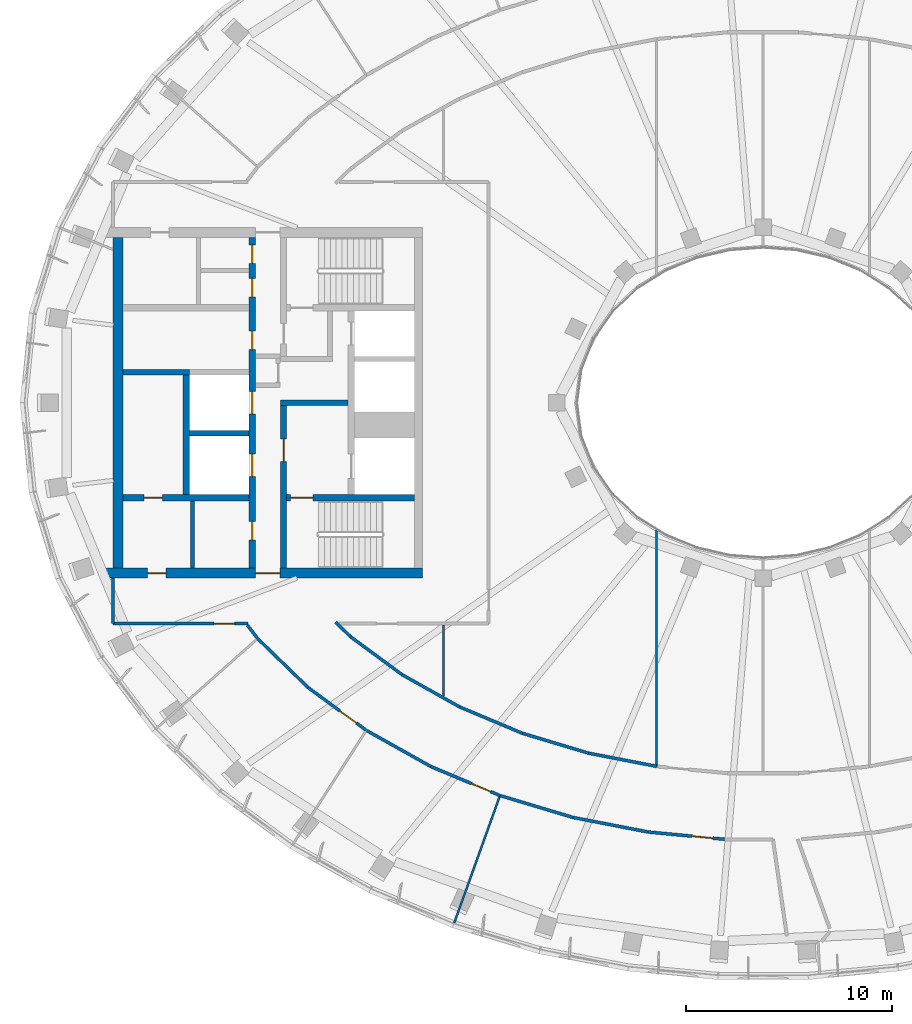
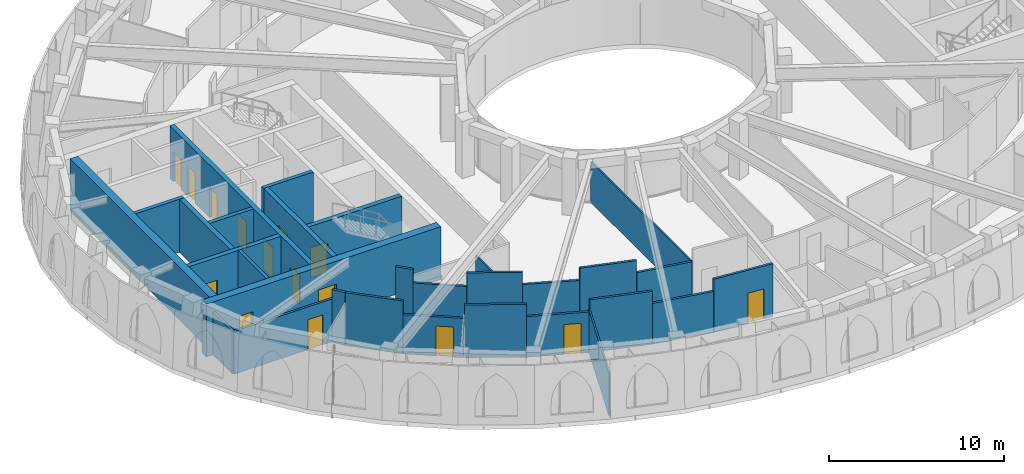
# One storey, part 3 of 15: 30 walls, 15 doors, 15 openings.
"""IFC4 building model written with IfcOpenShell, lengths in metres."""

import ifcopenshell
import ifcopenshell.guid

model = None  # the IFC model being written
_history = None  # IfcOwnerHistory: only IFC2X3 demands one
_inside = {}  # id of a spatial element -> (the spatial element, [elements in it])
_under = {}  # id of a project, library or spatial element -> (it, [spatial elements below it])
_declared = {}  # id of a project -> (the project, [libraries it declares])
_typed = {}  # id of a type object -> (the type object, [elements of that type])
_made_of = {}  # id of a material, layer set ... -> (it, [elements and type objects made of it])


def new_model(schema):
    """Start an empty IFC model of exactly this schema.

    Asked for "IFC4X3", IfcOpenShell would pick the latest addendum, in which some entities
    have other attributes; the version numbers below select the first issue.
    IFC2X3 requires an IfcOwnerHistory on every rooted entity: one is made here for all.
    """
    global model, _history
    if schema == "IFC4X3":
        model = ifcopenshell.file(schema_version=(4, 3, 0, 0))
    else:
        model = ifcopenshell.file(schema=schema)
    _inside.clear()
    _under.clear()
    _declared.clear()
    _typed.clear()
    _made_of.clear()
    _history = None
    if model.schema == "IFC2X3":
        org = make("IfcOrganization", Name="unknown")
        user = make(
            "IfcPersonAndOrganization",
            ThePerson=make("IfcPerson", FamilyName="unknown"),
            TheOrganization=org,
        )
        app = make(
            "IfcApplication",
            ApplicationDeveloper=org,
            Version="unknown",
            ApplicationFullName="unknown",
            ApplicationIdentifier="unknown",
        )
        _history = make(
            "IfcOwnerHistory",
            OwningUser=user,
            OwningApplication=app,
            ChangeAction="ADDED",
            CreationDate=0,
        )
    return model


def make(cls, **values):
    """One entity of the class cls with the attributes given. An attribute that is None is left unset."""
    return model.create_entity(
        cls, **{name: value for name, value in values.items() if value is not None}
    )


def rooted(cls, **values):
    """An entity with a GlobalId (a new one), such as an element, a storey or a relation."""
    return make(cls, GlobalId=ifcopenshell.guid.new(), OwnerHistory=_history, **values)


def si_unit(unit_type, name, prefix=None):
    """IfcSIUnit, for example si_unit("LENGTHUNIT", "METRE", prefix="MILLI")."""
    return make("IfcSIUnit", UnitType=unit_type, Prefix=prefix, Name=name)


def assignment(units):
    """IfcUnitAssignment: the units of a project."""
    return None if units is None else make("IfcUnitAssignment", Units=units)


def point(xyz):
    """IfcCartesianPoint."""
    return None if xyz is None else make("IfcCartesianPoint", Coordinates=xyz)


def direction(xyz):
    """IfcDirection."""
    return None if xyz is None else make("IfcDirection", DirectionRatios=xyz)


def frame(location, z_axis=None, x_axis=None):
    """IfcAxis2Placement3D, a coordinate frame: its origin and axes. An axis left out is left unset."""
    return make(
        "IfcAxis2Placement3D",
        Location=point(location),
        Axis=direction(z_axis),
        RefDirection=direction(x_axis),
    )


def frame_2d(location, x_axis=None):
    """IfcAxis2Placement2D, a coordinate frame in the plane: its origin and x axis."""
    return make(
        "IfcAxis2Placement2D", Location=point(location), RefDirection=direction(x_axis)
    )


def origin():
    """The frame at (0, 0, 0) with its axes left unset."""
    return frame((0.0, 0.0, 0.0))


def place(relative_to, where):
    """IfcLocalPlacement: puts the frame where relative to a parent placement (None: the world)."""
    return make(
        "IfcLocalPlacement", PlacementRelTo=relative_to, RelativePlacement=where
    )


def context(
    kind, dimensions, precision=None, world=None, true_north=None, identifier=None
):
    """IfcGeometricRepresentationContext, for example the 3D "Model" context."""
    return make(
        "IfcGeometricRepresentationContext",
        ContextIdentifier=identifier,
        ContextType=kind,
        CoordinateSpaceDimension=dimensions,
        Precision=precision,
        WorldCoordinateSystem=world,
        TrueNorth=true_north,
    )


def subcontext(parent, identifier, kind, view, scale=None):
    """IfcGeometricRepresentationSubContext, for example "Body" below "Model"."""
    return make(
        "IfcGeometricRepresentationSubContext",
        ContextIdentifier=identifier,
        ContextType=kind,
        ParentContext=parent,
        TargetScale=scale,
        TargetView=view,
    )


def project(units=None, contexts=None):
    """IfcProject with its units and contexts."""
    return rooted(
        "IfcProject",
        Name="project",
        RepresentationContexts=contexts,
        UnitsInContext=assignment(units),
    )


def spatial(cls, under=None, at=None, **own):
    """A site, building, storey or space (cls), placed at a placement, below another one or the project."""
    s = rooted(cls, ObjectPlacement=at, **own)
    if under is not None:
        _under.setdefault(under.id(), (under, []))[1].append(s)
    return s


def profile(cls, at=None, kind="AREA", **sizes):
    """A parametric profile (cls). Its sizes go by their IFC names, for example OverallWidth=200.0."""
    return make(cls, ProfileType=kind, Position=at, **sizes)


def rectangle(**sizes):
    """IfcRectangleProfileDef."""
    return profile("IfcRectangleProfileDef", **sizes)


def extrude(swept, where, along, depth):
    """IfcExtrudedAreaSolid: the profile swept, set in the frame where, extruded along a direction by depth."""
    return make(
        "IfcExtrudedAreaSolid",
        SweptArea=swept,
        Position=where,
        ExtrudedDirection=direction(along),
        Depth=depth,
    )


def shape(context_of_items, identifier, shape_type, items):
    """IfcShapeRepresentation: the items that make up one representation, for example the "Body"."""
    return make(
        "IfcShapeRepresentation",
        ContextOfItems=context_of_items,
        RepresentationIdentifier=identifier,
        RepresentationType=shape_type,
        Items=items,
    )


def material(Name=None, Category=None):
    """IfcMaterial."""
    return make("IfcMaterial", Name=Name, Category=Category)


def layer(
    of_material, thickness, ventilated=None, Name=None, Category=None, Priority=None
):
    """IfcMaterialLayer: one layer of a wall or slab, of a material (None: an air gap)."""
    return make(
        "IfcMaterialLayer",
        Material=of_material,
        LayerThickness=thickness,
        IsVentilated=ventilated,
        Name=Name,
        Category=Category,
        Priority=Priority,
    )


def layer_set(layers, Name=None):
    """IfcMaterialLayerSet."""
    return make("IfcMaterialLayerSet", MaterialLayers=layers, LayerSetName=Name)


def made_of(thing, what):
    """Note that an element or type object is made of a material, layer set ...; save() writes the relation."""
    if what is not None:
        _made_of.setdefault(what.id(), (what, []))[1].append(thing)
    return thing


def type_object(cls, material=None, **own):
    """A type object (cls), such as IfcWallType, which elements share."""
    return made_of(rooted(cls, **own), material)


def element(
    cls,
    number,
    at=None,
    inside=None,
    cuts=None,
    type_object=None,
    material=None,
    context=None,
    identifier="Body",
    shape_type=None,
    held_by="IfcProductDefinitionShape",
    body=None,
    shapes=None,
    **own,
):
    """One element of the class cls, such as IfcWall. Its Tag is "e" and its number.

    at: its placement. inside: the storey or other place that contains it. cuts: it is an
    opening in that element (IfcRelVoidsElement). A single representation is given by context,
    identifier, shape_type and body (its items); several are given by shapes. held_by: the class
    of the entity that holds the representations. save() writes the other relations.
    """
    e = rooted(cls, Tag="e%d" % number, ObjectPlacement=at, **own)
    if body is not None:
        shapes = [shape(context, identifier, shape_type, body)]
    if shapes is not None:
        e.Representation = make(held_by, Representations=shapes)
    if inside is not None:
        _inside.setdefault(inside.id(), (inside, []))[1].append(e)
    if cuts is not None:
        rooted(
            "IfcRelVoidsElement", RelatingBuildingElement=cuts, RelatedOpeningElement=e
        )
    if type_object is not None:
        _typed.setdefault(type_object.id(), (type_object, []))[1].append(e)
    return made_of(e, material)


def fill(opening, filler):
    """IfcRelFillsElement: the door or window that sits in an opening."""
    return rooted(
        "IfcRelFillsElement",
        RelatingOpeningElement=opening,
        RelatedBuildingElement=filler,
    )


def aggregate(whole, parts):
    """IfcRelAggregates: a whole, such as a stair, and the parts it consists of."""
    return rooted("IfcRelAggregates", RelatingObject=whole, RelatedObjects=parts)


def save(model, path):
    """Write the relations noted so far, then the file.

    IfcRelAggregates (storeys below a building ...), IfcRelContainedInSpatialStructure (elements
    in a storey), IfcRelDefinesByType, IfcRelAssociatesMaterial and IfcRelDeclares: one each for
    every whole, place, type object, material and project.
    """
    for whole, parts in _under.values():
        aggregate(whole, parts)
    for where, things in _inside.values():
        rooted(
            "IfcRelContainedInSpatialStructure",
            RelatedElements=things,
            RelatingStructure=where,
        )
    for kind, things in _typed.values():
        rooted("IfcRelDefinesByType", RelatedObjects=things, RelatingType=kind)
    for what, things in _made_of.values():
        rooted("IfcRelAssociatesMaterial", RelatedObjects=things, RelatingMaterial=what)
    for by, libraries in _declared.values():
        rooted("IfcRelDeclares", RelatingContext=by, RelatedDefinitions=libraries)
    model.write(path)


model = new_model("IFC4")

# Units and contexts
model_context = context("Model", 3, precision=1e-05, world=origin(), true_north=direction((0.0, 1.0)))
body_context = subcontext(model_context, "Body", "Model", "MODEL_VIEW")
ifc_project = project(units=[si_unit("LENGTHUNIT", "METRE"), si_unit("AREAUNIT", "SQUARE_METRE"), si_unit("VOLUMEUNIT", "CUBIC_METRE"), si_unit("PLANEANGLEUNIT", "RADIAN"), si_unit("MASSUNIT", "GRAM", prefix="KILO")], contexts=[model_context])

# Site, building, storey
site_placement = place(None, origin())
site = spatial("IfcSite", under=ifc_project, at=site_placement, CompositionType="ELEMENT")
building_placement = place(site_placement, origin())
building = spatial("IfcBuilding", under=site, at=building_placement, Name="Noorbagh Ring Tower", CompositionType="ELEMENT")
storey_placement = place(building_placement, frame((0.0, 0.0, 331.0)))
storey = spatial("IfcBuildingStorey", under=building, at=storey_placement, Name="L72", CompositionType="ELEMENT", Elevation=331.0)

# Walls
ifc_material_1 = material(Name="Gypsum board on steel studs", Category="steel")
ifc_layer_1 = layer(ifc_material_1, 0.199951171875)
ifc_layer_set_1 = layer_set([ifc_layer_1], Name="Gypsum board on steel studs")
wall_type_1 = type_object("IfcWallType", Name="CORE-PARTITION-200", PredefinedType="PARTITIONING", material=ifc_layer_set_1)
wall_1_placement = place(storey_placement, frame((-27.64990234375, -8.0, 0.0), z_axis=(0.0, 0.0, 1.0), x_axis=(0.0, 1.0, 0.0)))
element("IfcWall", 1, at=wall_1_placement, inside=storey, type_object=wall_type_1, Name="Core partition W", PredefinedType="PARTITIONING", context=body_context, shape_type="SweptSolid", body=[
    extrude(rectangle(XDim=3.25, YDim=0.199951171875, at=frame_2d((1.625, 0.0))), origin(), (0.0, 0.0, 1.0), 3.699951171875),
])
ifc_material_2 = material(Name="Concrete C50/60", Category="concrete")
ifc_layer_2 = layer(ifc_material_2, 0.25)
ifc_layer_set_2 = layer_set([ifc_layer_2], Name="Concrete C50/60")
wall_type_2 = type_object("IfcWallType", Name="CORE-WALL-250-C50-60-EI120", PredefinedType="SHEAR", material=ifc_layer_set_2)
wall_2_placement = place(storey_placement, frame((-27.800048828125, 1.47509765625, 0.0), z_axis=(0.0, 0.0, 1.0), x_axis=(-1.0, 0.0, 0.0)))
element("IfcWall", 2, at=wall_2_placement, inside=storey, type_object=wall_type_2, Name="Core wall W", PredefinedType="SHEAR", context=body_context, shape_type="SweptSolid", body=[
    extrude(rectangle(XDim=3.199951171875, YDim=0.25, at=frame_2d((1.60009765625, 0.0))), origin(), (0.0, 0.0, 1.0), 3.699951171875),
])
wall_3_placement = place(storey_placement, frame((-24.89990234375, -1.47509765625, 0.0), z_axis=(0.0, 0.0, 1.0), x_axis=(-1.0, 0.0, 0.0)))
element("IfcWall", 3, at=wall_3_placement, inside=storey, type_object=wall_type_2, Name="Core wall W", PredefinedType="SHEAR", context=body_context, shape_type="SweptSolid", body=[
    extrude(rectangle(XDim=2.900146484375, YDim=0.25, at=frame_2d((1.4501953125, 0.0))), origin(), (0.0, 0.0, 1.0), 3.699951171875),
])
ifc_material_3 = material(Name="Concrete C50/60", Category="concrete")
ifc_layer_3 = layer(ifc_material_3, 0.25)
ifc_layer_set_3 = layer_set([ifc_layer_3], Name="Concrete C50/60")
wall_type_3 = type_object("IfcWallType", Name="CORE-WALL-250-C50-60-EI240", PredefinedType="SHEAR", material=ifc_layer_set_3)
wall_4_placement = place(storey_placement, frame((-20.10009765625, 0.0, 0.0), z_axis=(0.0, 0.0, 1.0), x_axis=(-1.0, 0.0, 0.0)))
element("IfcWall", 4, at=wall_4_placement, inside=storey, type_object=wall_type_3, Name="Core wall W", PredefinedType="SHEAR", context=body_context, shape_type="SweptSolid", body=[
    extrude(rectangle(XDim=3.27978515625, YDim=0.25, at=frame_2d((1.639892578125, 0.0))), origin(), (0.0, 0.0, 1.0), 3.699951171875),
])
ifc_material_4 = material(Name="Concrete C50/60", Category="concrete")
ifc_layer_4 = layer(ifc_material_4, 0.300048828125)
ifc_layer_set_4 = layer_set([ifc_layer_4], Name="Concrete C50/60")
wall_type_4 = type_object("IfcWallType", Name="CORE-WALL-300-C50-60-EI120", PredefinedType="SHEAR", material=ifc_layer_set_4)
wall_5_placement = place(storey_placement, frame((-27.949951171875, -4.449951171875, 0.0), z_axis=(0.0, 0.0, 1.0), x_axis=(0.0, 1.0, 0.0)))
element("IfcWall", 5, at=wall_5_placement, inside=storey, type_object=wall_type_4, Name="Core wall W", PredefinedType="SHEAR", context=body_context, shape_type="SweptSolid", body=[
    extrude(rectangle(XDim=5.800048828125, YDim=0.300048828125, at=frame_2d((2.89990234375, 0.0))), origin(), (0.0, 0.0, 1.0), 3.699951171875),
])

# Wall, openings, doors
wall_6_placement = place(storey_placement, frame((-24.75, -8.0, 0.0), z_axis=(0.0, 0.0, 1.0), x_axis=(0.0, 1.0, 0.0)))
wall_6 = element("IfcWall", 6, at=wall_6_placement, inside=storey, type_object=wall_type_4, Name="Core wall W", PredefinedType="SHEAR", context=body_context, shape_type="SweptSolid", body=[
    extrude(rectangle(XDim=16.0, YDim=0.300048828125, at=frame_2d((8.0, 0.0))), origin(), (0.0, 0.0, 1.0), 3.699951171875),
])
opening_1_placement = place(wall_6_placement, frame((4.425048828125, 0.0, 0.0)))
opening_1 = element("IfcOpeningElement", 7, at=opening_1_placement, cuts=wall_6, Name="Opening L72-CW03", PredefinedType="OPENING", context=body_context, shape_type="SweptSolid", body=[
    extrude(rectangle(XDim=1.10009765625, YDim=2.10009765625, at=frame_2d((0.550048828125, 1.050048828125))), frame((0.0, 0.16015625, 0.0), z_axis=(0.0, -1.0, 0.0), x_axis=(1.0, 0.0, 0.0)), (0.0, 0.0, 1.0), 0.320068359375),
])
opening_2_placement = place(wall_6_placement, frame((7.449951171875, 0.0, 0.0)))
opening_2 = element("IfcOpeningElement", 8, at=opening_2_placement, cuts=wall_6, Name="Opening L72-CW04", PredefinedType="OPENING", context=body_context, shape_type="SweptSolid", body=[
    extrude(rectangle(XDim=1.10009765625, YDim=2.10009765625, at=frame_2d((0.550048828125, 1.050048828125))), frame((0.0, 0.16015625, 0.0), z_axis=(0.0, -1.0, 0.0), x_axis=(1.0, 0.0, 0.0)), (0.0, 0.0, 1.0), 0.320068359375),
])
opening_3_placement = place(wall_6_placement, frame((10.574951171875, 0.0, 0.0)))
opening_3 = element("IfcOpeningElement", 9, at=opening_3_placement, cuts=wall_6, Name="Opening L72-CW11", PredefinedType="OPENING", context=body_context, shape_type="SweptSolid", body=[
    extrude(rectangle(XDim=0.89990234375, YDim=2.10009765625, at=frame_2d((0.449951171875, 1.050048828125))), frame((0.0, 0.16015625, 0.0), z_axis=(0.0, -1.0, 0.0), x_axis=(1.0, 0.0, 0.0)), (0.0, 0.0, 1.0), 0.320068359375),
])
opening_4_placement = place(wall_6_placement, frame((13.125, 0.0, 0.0)))
opening_4 = element("IfcOpeningElement", 10, at=opening_4_placement, cuts=wall_6, Name="Opening L72-CW12", PredefinedType="OPENING", context=body_context, shape_type="SweptSolid", body=[
    extrude(rectangle(XDim=0.89990234375, YDim=2.10009765625, at=frame_2d((0.449951171875, 1.050048828125))), frame((0.0, 0.16015625, 0.0), z_axis=(0.0, -1.0, 0.0), x_axis=(1.0, 0.0, 0.0)), (0.0, 0.0, 1.0), 0.320068359375),
])
opening_5_placement = place(wall_6_placement, frame((14.75, 0.0, 0.0)))
opening_5 = element("IfcOpeningElement", 11, at=opening_5_placement, cuts=wall_6, Name="Opening L72-CW13", PredefinedType="OPENING", context=body_context, shape_type="SweptSolid", body=[
    extrude(rectangle(XDim=0.89990234375, YDim=2.10009765625, at=frame_2d((0.449951171875, 1.050048828125))), frame((0.0, 0.16015625, 0.0), z_axis=(0.0, -1.0, 0.0), x_axis=(1.0, 0.0, 0.0)), (0.0, 0.0, 1.0), 0.320068359375),
])
opening_6_placement = place(wall_6_placement, frame((1.35009765625, 0.0, 0.0)))
opening_6 = element("IfcOpeningElement", 12, at=opening_6_placement, cuts=wall_6, Name="Opening L72-CW15", PredefinedType="OPENING", context=body_context, shape_type="SweptSolid", body=[
    extrude(rectangle(XDim=0.89990234375, YDim=2.10009765625, at=frame_2d((0.449951171875, 1.050048828125))), frame((0.0, 0.16015625, 0.0), z_axis=(0.0, -1.0, 0.0), x_axis=(1.0, 0.0, 0.0)), (0.0, 0.0, 1.0), 0.320068359375),
])
ifc_material_5 = material(Name="Steel door leaf", Category="steel")
door_type_1 = type_object("IfcDoorType", Name="CORE-DOOR-DROOM", OperationType="SINGLE_SWING_LEFT", PredefinedType="DOOR", material=ifc_material_5)
door_1_placement = place(opening_3_placement, origin())
door_1 = element("IfcDoor", 13, at=door_1_placement, inside=storey, type_object=door_type_1, Name="Core room door L72-CW11", OperationType="SINGLE_SWING_RIGHT", OverallHeight=2.10009765625, OverallWidth=0.89990234375, PredefinedType="DOOR", context=body_context, shape_type="SweptSolid", body=[
    extrude(rectangle(XDim=0.89990234375, YDim=2.10009765625, at=frame_2d((0.449951171875, 1.050048828125))), frame((0.0, 0.02490234375, 0.0), z_axis=(0.0, -1.0, 0.0), x_axis=(1.0, 0.0, 0.0)), (0.0, 0.0, 1.0), 0.050048828125),
])
fill(opening_3, door_1)
door_2_placement = place(opening_4_placement, origin())
door_2 = element("IfcDoor", 14, at=door_2_placement, inside=storey, type_object=door_type_1, Name="Core room door L72-CW12", OperationType="SINGLE_SWING_LEFT", OverallHeight=2.10009765625, OverallWidth=0.89990234375, PredefinedType="DOOR", context=body_context, shape_type="SweptSolid", body=[
    extrude(rectangle(XDim=0.89990234375, YDim=2.10009765625, at=frame_2d((0.449951171875, 1.050048828125))), frame((0.0, 0.02490234375, 0.0), z_axis=(0.0, -1.0, 0.0), x_axis=(1.0, 0.0, 0.0)), (0.0, 0.0, 1.0), 0.050048828125),
])
fill(opening_4, door_2)
door_3_placement = place(opening_5_placement, origin())
door_3 = element("IfcDoor", 15, at=door_3_placement, inside=storey, type_object=door_type_1, Name="Core room door L72-CW13", OperationType="SINGLE_SWING_RIGHT", OverallHeight=2.10009765625, OverallWidth=0.89990234375, PredefinedType="DOOR", context=body_context, shape_type="SweptSolid", body=[
    extrude(rectangle(XDim=0.89990234375, YDim=2.10009765625, at=frame_2d((0.449951171875, 1.050048828125))), frame((0.0, 0.02490234375, 0.0), z_axis=(0.0, -1.0, 0.0), x_axis=(1.0, 0.0, 0.0)), (0.0, 0.0, 1.0), 0.050048828125),
])
fill(opening_5, door_3)
door_4_placement = place(opening_6_placement, origin())
door_4 = element("IfcDoor", 16, at=door_4_placement, inside=storey, type_object=door_type_1, Name="Core room door L72-CW15", OperationType="SINGLE_SWING_LEFT", OverallHeight=2.10009765625, OverallWidth=0.89990234375, PredefinedType="DOOR", context=body_context, shape_type="SweptSolid", body=[
    extrude(rectangle(XDim=0.89990234375, YDim=2.10009765625, at=frame_2d((0.449951171875, 1.050048828125))), frame((0.0, 0.02490234375, 0.0), z_axis=(0.0, -1.0, 0.0), x_axis=(1.0, 0.0, 0.0)), (0.0, 0.0, 1.0), 0.050048828125),
])
fill(opening_6, door_4)
ifc_material_6 = material(Name="Steel door leaf", Category="steel")
door_type_2 = type_object("IfcDoorType", Name="CORE-DOOR-LD", OperationType="DOUBLE_DOOR_SLIDING", PredefinedType="DOOR", material=ifc_material_6)
door_5_placement = place(opening_1_placement, origin())
door_5 = element("IfcDoor", 17, at=door_5_placement, inside=storey, type_object=door_type_2, Name="Landing door HR5 L72-CW03", OperationType="DOUBLE_DOOR_SLIDING", OverallHeight=2.10009765625, OverallWidth=1.10009765625, PredefinedType="DOOR", context=body_context, shape_type="SweptSolid", body=[
    extrude(rectangle(XDim=1.10009765625, YDim=2.10009765625, at=frame_2d((0.550048828125, 1.050048828125))), frame((0.0, 0.02490234375, 0.0), z_axis=(0.0, -1.0, 0.0), x_axis=(1.0, 0.0, 0.0)), (0.0, 0.0, 1.0), 0.050048828125),
])
fill(opening_1, door_5)
door_6_placement = place(opening_2_placement, origin())
door_6 = element("IfcDoor", 18, at=door_6_placement, inside=storey, type_object=door_type_2, Name="Landing door HR6 L72-CW04", OperationType="DOUBLE_DOOR_SLIDING", OverallHeight=2.10009765625, OverallWidth=1.10009765625, PredefinedType="DOOR", context=body_context, shape_type="SweptSolid", body=[
    extrude(rectangle(XDim=1.10009765625, YDim=2.10009765625, at=frame_2d((0.550048828125, 1.050048828125))), frame((0.0, 0.02490234375, 0.0), z_axis=(0.0, -1.0, 0.0), x_axis=(1.0, 0.0, 0.0)), (0.0, 0.0, 1.0), 0.050048828125),
])
fill(opening_2, door_6)

# Wall, opening, door
ifc_material_7 = material(Name="Concrete C50/60", Category="concrete")
ifc_layer_5 = layer(ifc_material_7, 0.300048828125)
ifc_layer_set_5 = layer_set([ifc_layer_5], Name="Concrete C50/60")
wall_type_5 = type_object("IfcWallType", Name="CORE-WALL-300-C50-60-EI240", PredefinedType="SHEAR", material=ifc_layer_set_5)
wall_7_placement = place(storey_placement, frame((-24.89990234375, -4.60009765625, 0.0), z_axis=(0.0, 0.0, 1.0), x_axis=(-1.0, 0.0, 0.0)))
wall_7 = element("IfcWall", 19, at=wall_7_placement, inside=storey, type_object=wall_type_5, Name="Core wall W", PredefinedType="SHEAR", context=body_context, shape_type="SweptSolid", body=[
    extrude(rectangle(XDim=6.10009765625, YDim=0.300048828125, at=frame_2d((3.050048828125, 0.0))), origin(), (0.0, 0.0, 1.0), 3.699951171875),
])
opening_7_placement = place(wall_7_placement, frame((4.199951171875, 0.0, 0.0)))
opening_7 = element("IfcOpeningElement", 20, at=opening_7_placement, cuts=wall_7, Name="Opening L72-CW18", PredefinedType="OPENING", context=body_context, shape_type="SweptSolid", body=[
    extrude(rectangle(XDim=0.89990234375, YDim=2.10009765625, at=frame_2d((0.449951171875, 1.050048828125))), frame((0.0, 0.16015625, 0.0), z_axis=(0.0, -1.0, 0.0), x_axis=(1.0, 0.0, 0.0)), (0.0, 0.0, 1.0), 0.320068359375),
])
door_7_placement = place(opening_7_placement, origin())
door_7 = element("IfcDoor", 21, at=door_7_placement, inside=storey, type_object=door_type_1, Name="Core room door L72-CW18", OperationType="SINGLE_SWING_RIGHT", OverallHeight=2.10009765625, OverallWidth=0.89990234375, PredefinedType="DOOR", context=body_context, shape_type="SweptSolid", body=[
    extrude(rectangle(XDim=0.89990234375, YDim=2.10009765625, at=frame_2d((0.449951171875, 1.050048828125))), frame((0.0, 0.02490234375, 0.0), z_axis=(0.0, -1.0, 0.0), x_axis=(1.0, 0.0, 0.0)), (0.0, 0.0, 1.0), 0.050048828125),
])
fill(opening_7, door_7)

wall_8_placement = place(storey_placement, frame((-23.22998046875, -8.0, 0.0), z_axis=(0.0, 0.0, 1.0), x_axis=(0.0, 1.0, 0.0)))
wall_8 = element("IfcWall", 22, at=wall_8_placement, inside=storey, type_object=wall_type_5, Name="Core wall W", PredefinedType="SHEAR", context=body_context, shape_type="SweptSolid", body=[
    extrude(rectangle(XDim=7.875, YDim=0.300048828125, at=frame_2d((3.9375, 0.0))), origin(), (0.0, 0.0, 1.0), 3.699951171875),
])
opening_8_placement = place(wall_8_placement, frame((5.14990234375, 0.0, 0.0)))
opening_8 = element("IfcOpeningElement", 23, at=opening_8_placement, cuts=wall_8, Name="Opening L72-CW07", PredefinedType="OPENING", context=body_context, shape_type="SweptSolid", body=[
    extrude(rectangle(XDim=1.10009765625, YDim=2.10009765625, at=frame_2d((0.550048828125, 1.050048828125))), frame((0.0, 0.16015625, 0.0), z_axis=(0.0, -1.0, 0.0), x_axis=(1.0, 0.0, 0.0)), (0.0, 0.0, 1.0), 0.320068359375),
])
ifc_material_8 = material(Name="Steel door leaf", Category="steel")
door_type_3 = type_object("IfcDoorType", Name="CORE-DOOR-DFF", OperationType="SINGLE_SWING_LEFT", PredefinedType="DOOR", material=ifc_material_8)
door_8_placement = place(opening_8_placement, origin())
door_8 = element("IfcDoor", 24, at=door_8_placement, inside=storey, type_object=door_type_3, Name="Firefighting lobby door L72-CW07", OperationType="SINGLE_SWING_LEFT", OverallHeight=2.10009765625, OverallWidth=1.10009765625, PredefinedType="DOOR", context=body_context, shape_type="SweptSolid", body=[
    extrude(rectangle(XDim=1.10009765625, YDim=2.10009765625, at=frame_2d((0.550048828125, 1.050048828125))), frame((0.0, 0.02490234375, 0.0), z_axis=(0.0, -1.0, 0.0), x_axis=(1.0, 0.0, 0.0)), (0.0, 0.0, 1.0), 0.050048828125),
])
fill(opening_8, door_8)

wall_9_placement = place(storey_placement, frame((-16.89990234375, -4.60009765625, 0.0), z_axis=(0.0, 0.0, 1.0), x_axis=(-1.0, 0.0, 0.0)))
wall_9 = element("IfcWall", 25, at=wall_9_placement, inside=storey, type_object=wall_type_5, Name="Core wall W", PredefinedType="SHEAR", context=body_context, shape_type="SweptSolid", body=[
    extrude(rectangle(XDim=6.18017578125, YDim=0.300048828125, at=frame_2d((3.090087890625, 0.0))), origin(), (0.0, 0.0, 1.0), 3.699951171875),
])
opening_9_placement = place(wall_9_placement, frame((4.89990234375, 0.0, 0.0)))
opening_9 = element("IfcOpeningElement", 26, at=opening_9_placement, cuts=wall_9, Name="Opening L72-CW06", PredefinedType="OPENING", context=body_context, shape_type="SweptSolid", body=[
    extrude(rectangle(XDim=1.10009765625, YDim=2.10009765625, at=frame_2d((0.550048828125, 1.050048828125))), frame((0.0, 0.16015625, 0.0), z_axis=(0.0, -1.0, 0.0), x_axis=(1.0, 0.0, 0.0)), (0.0, 0.0, 1.0), 0.320068359375),
])
ifc_material_9 = material(Name="Steel door leaf", Category="steel")
door_type_4 = type_object("IfcDoorType", Name="CORE-DOOR-DSTAIR", OperationType="SINGLE_SWING_LEFT", PredefinedType="DOOR", material=ifc_material_9)
door_9_placement = place(opening_9_placement, origin())
door_9 = element("IfcDoor", 27, at=door_9_placement, inside=storey, type_object=door_type_4, Name="Stair door ST2 L72-CW06", OperationType="SINGLE_SWING_LEFT", OverallHeight=2.10009765625, OverallWidth=1.10009765625, PredefinedType="DOOR", context=body_context, shape_type="SweptSolid", body=[
    extrude(rectangle(XDim=1.10009765625, YDim=2.10009765625, at=frame_2d((0.550048828125, 1.050048828125))), frame((0.0, 0.02490234375, 0.0), z_axis=(0.0, -1.0, 0.0), x_axis=(1.0, 0.0, 0.0)), (0.0, 0.0, 1.0), 0.050048828125),
])
fill(opening_9, door_9)

# Wall, openings, doors
ifc_material_10 = material(Name="Concrete C50/60", Category="concrete")
ifc_layer_6 = layer(ifc_material_10, 0.5)
ifc_layer_set_6 = layer_set([ifc_layer_6], Name="Concrete C50/60")
wall_type_6 = type_object("IfcWallType", Name="CORE-WALL-500-C50-60-EI240", PredefinedType="SHEAR", material=ifc_layer_set_6)
wall_10_placement = place(storey_placement, frame((-16.5, -8.25, 0.0), z_axis=(0.0, 0.0, 1.0), x_axis=(-1.0, 0.0, 0.0)))
wall_10 = element("IfcWall", 28, at=wall_10_placement, inside=storey, type_object=wall_type_6, Name="Core wall W", PredefinedType="SHEAR", context=body_context, shape_type="SweptSolid", body=[
    extrude(rectangle(XDim=15.5, YDim=0.5, at=frame_2d((7.75, 0.0))), origin(), (0.0, 0.0, 1.0), 3.699951171875),
])
opening_10_placement = place(wall_10_placement, frame((6.89990234375, 0.0, 0.0)))
opening_10 = element("IfcOpeningElement", 29, at=opening_10_placement, cuts=wall_10, Name="Opening L72-CW10", PredefinedType="OPENING", context=body_context, shape_type="SweptSolid", body=[
    extrude(rectangle(XDim=1.199951171875, YDim=2.10009765625, at=frame_2d((0.60009765625, 1.050048828125))), frame((0.0, 0.260009765625, 0.0), z_axis=(0.0, -1.0, 0.0), x_axis=(1.0, 0.0, 0.0)), (0.0, 0.0, 1.0), 0.52001953125),
])
opening_11_placement = place(wall_10_placement, frame((12.425048828125, 0.0, 0.0)))
opening_11 = element("IfcOpeningElement", 30, at=opening_11_placement, cuts=wall_10, Name="Opening L72-CW16", PredefinedType="OPENING", context=body_context, shape_type="SweptSolid", body=[
    extrude(rectangle(XDim=0.89990234375, YDim=2.10009765625, at=frame_2d((0.449951171875, 1.050048828125))), frame((0.0, 0.260009765625, 0.0), z_axis=(0.0, -1.0, 0.0), x_axis=(1.0, 0.0, 0.0)), (0.0, 0.0, 1.0), 0.52001953125),
])
door_10_placement = place(opening_11_placement, origin())
door_10 = element("IfcDoor", 31, at=door_10_placement, inside=storey, type_object=door_type_1, Name="Core room door L72-CW16", OperationType="SINGLE_SWING_LEFT", OverallHeight=2.10009765625, OverallWidth=0.89990234375, PredefinedType="DOOR", context=body_context, shape_type="SweptSolid", body=[
    extrude(rectangle(XDim=0.89990234375, YDim=2.10009765625, at=frame_2d((0.449951171875, 1.050048828125))), frame((0.0, 0.02490234375, 0.0), z_axis=(0.0, -1.0, 0.0), x_axis=(1.0, 0.0, 0.0)), (0.0, 0.0, 1.0), 0.050048828125),
])
fill(opening_11, door_10)
ifc_material_11 = material(Name="Steel door leaf", Category="steel")
door_type_5 = type_object("IfcDoorType", Name="CORE-DOOR-PORT", OperationType="DOUBLE_DOOR_DOUBLE_SWING", PredefinedType="DOOR", material=ifc_material_11)
door_11_placement = place(opening_10_placement, origin())
door_11 = element("IfcDoor", 32, at=door_11_placement, inside=storey, type_object=door_type_5, Name="Core entrance door L72-CW10", OperationType="DOUBLE_DOOR_DOUBLE_SWING", OverallHeight=2.10009765625, OverallWidth=1.199951171875, PredefinedType="DOOR", context=body_context, shape_type="SweptSolid", body=[
    extrude(rectangle(XDim=1.199951171875, YDim=2.10009765625, at=frame_2d((0.60009765625, 1.050048828125))), frame((0.0, 0.02490234375, 0.0), z_axis=(0.0, -1.0, 0.0), x_axis=(1.0, 0.0, 0.0)), (0.0, 0.0, 1.0), 0.050048828125),
])
fill(opening_10, door_11)

# Walls
wall_11_placement = place(storey_placement, frame((-31.25, -8.0, 0.0), z_axis=(0.0, 0.0, 1.0), x_axis=(0.0, 1.0, 0.0)))
element("IfcWall", 33, at=wall_11_placement, inside=storey, type_object=wall_type_6, Name="Core wall W", PredefinedType="SHEAR", context=body_context, shape_type="SweptSolid", body=[
    extrude(rectangle(XDim=16.0, YDim=0.5, at=frame_2d((8.0, 0.0))), origin(), (0.0, 0.0, 1.0), 3.699951171875),
])
ifc_material_12 = material(Name="Gypsum board on steel studs", Category="steel")
ifc_layer_7 = layer(ifc_material_12, 0.14990234375)
ifc_layer_set_7 = layer_set([ifc_layer_7], Name="Gypsum board on steel studs")
wall_type_7 = type_object("IfcWallType", Name="CORRIDOR PARTITION 150 EI 30", PredefinedType="PARTITIONING", material=ifc_layer_set_7)
wall_12_placement = place(storey_placement, frame((-31.5, -10.699951171875, 0.0), z_axis=(0.0, 0.0, 1.0), x_axis=(0.0, 1.0, 0.0)))
element("IfcWall", 34, at=wall_12_placement, inside=storey, type_object=wall_type_7, Name="L72/wall/P02", PredefinedType="PARTITIONING", context=body_context, shape_type="SweptSolid", body=[
    extrude(rectangle(XDim=2.199951171875, YDim=0.14990234375, at=frame_2d((1.10009765625, 0.0))), origin(), (0.0, 0.0, 1.0), 3.0),
])

# Wall, opening, door
wall_13_placement = place(storey_placement, frame((-31.5, -10.699951171875, 0.0), z_axis=(0.0, 0.0, 1.0), x_axis=(1.0, 0.0, 0.0)))
wall_13 = element("IfcWall", 35, at=wall_13_placement, inside=storey, type_object=wall_type_7, Name="L72/wall/P03", PredefinedType="PARTITIONING", context=body_context, shape_type="SweptSolid", body=[
    extrude(rectangle(XDim=6.554931640625, YDim=0.14990234375, at=frame_2d((3.27734375, 0.0))), origin(), (0.0, 0.0, 1.0), 3.0),
])
opening_12_placement = place(wall_13_placement, frame((4.89990234375, 0.0, 0.0)))
opening_12 = element("IfcOpeningElement", 36, at=opening_12_placement, cuts=wall_13, Name="Opening D1", PredefinedType="OPENING", context=body_context, shape_type="SweptSolid", body=[
    extrude(rectangle(XDim=1.0, YDim=2.10009765625, at=frame_2d((0.5, 1.050048828125))), frame((0.0, 0.0849609375, 0.0), z_axis=(0.0, -1.0, 0.0), x_axis=(1.0, 0.0, 0.0)), (0.0, 0.0, 1.0), 0.169921875),
])
ifc_material_13 = material(Name="Timber, painted", Category="wood")
door_type_6 = type_object("IfcDoorType", Name="DOOR 1000 X 2100 FD30", OperationType="SINGLE_SWING_LEFT", PredefinedType="DOOR", material=ifc_material_13)
door_12_placement = place(opening_12_placement, origin())
door_12 = element("IfcDoor", 37, at=door_12_placement, inside=storey, type_object=door_type_6, Name="L72-D06", OperationType="SINGLE_SWING_RIGHT", OverallHeight=2.10009765625, OverallWidth=1.0, PredefinedType="DOOR", context=body_context, shape_type="SweptSolid", body=[
    extrude(rectangle(XDim=1.0, YDim=2.10009765625, at=frame_2d((0.5, 1.050048828125))), frame((0.0, 0.02490234375, 0.0), z_axis=(0.0, -1.0, 0.0), x_axis=(1.0, 0.0, 0.0)), (0.0, 0.0, 1.0), 0.050048828125),
])
fill(opening_12, door_12)

# Walls
wall_14_placement = place(storey_placement, frame((-24.98193359375, -10.77490234375, 0.0), z_axis=(0.0, 0.0, 1.0), x_axis=(0.605137674799, -0.796120841668, 0.0)))
element("IfcWall", 38, at=wall_14_placement, inside=storey, type_object=wall_type_7, Name="L72/wall/P08", PredefinedType="PARTITIONING", context=body_context, shape_type="SweptSolid", body=[
    extrude(rectangle(XDim=0.79638671875, YDim=0.14990234375, at=frame_2d((0.398193359375, 0.0))), origin(), (0.0, 0.0, 1.0), 3.699951171875),
])
wall_15_placement = place(storey_placement, frame((-24.488037109375, -11.425048828125, 0.0), z_axis=(0.0, 0.0, 1.0), x_axis=(0.717739743756, -0.696311467831, 0.0)))
element("IfcWall", 39, at=wall_15_placement, inside=storey, type_object=wall_type_7, Name="L72/wall/P10", PredefinedType="PARTITIONING", context=body_context, shape_type="SweptSolid", body=[
    extrude(rectangle(XDim=3.40673828125, YDim=0.14990234375, at=frame_2d((1.703369140625, 0.0))), origin(), (0.0, 0.0, 1.0), 3.699951171875),
])

# Wall, opening, door
wall_16_placement = place(storey_placement, frame((-22.04296875, -13.797119140625, 0.0), z_axis=(0.0, 0.0, 1.0), x_axis=(0.805646089286, -0.592397146193, 0.0)))
wall_16 = element("IfcWall", 40, at=wall_16_placement, inside=storey, type_object=wall_type_7, Name="L72/wall/P14", PredefinedType="PARTITIONING", context=body_context, shape_type="SweptSolid", body=[
    extrude(rectangle(XDim=3.48046875, YDim=0.14990234375, at=frame_2d((1.740234375, 0.0))), origin(), (0.0, 0.0, 1.0), 2.75),
])
opening_13_placement = place(wall_16_placement, frame((1.89990234375, 0.0, 0.0)))
opening_13 = element("IfcOpeningElement", 41, at=opening_13_placement, cuts=wall_16, Name="Opening D1", PredefinedType="OPENING", context=body_context, shape_type="SweptSolid", body=[
    extrude(rectangle(XDim=1.0, YDim=2.10009765625, at=frame_2d((0.5, 1.050048828125))), frame((0.0, 0.0849609375, 0.0), z_axis=(0.0, -1.0, 0.0), x_axis=(1.0, 0.0, 0.0)), (0.0, 0.0, 1.0), 0.169921875),
])
door_13_placement = place(opening_13_placement, origin())
door_13 = element("IfcDoor", 42, at=door_13_placement, inside=storey, type_object=door_type_6, Name="L72-D08", OperationType="SINGLE_SWING_RIGHT", OverallHeight=2.10009765625, OverallWidth=1.0, PredefinedType="DOOR", context=body_context, shape_type="SweptSolid", body=[
    extrude(rectangle(XDim=1.0, YDim=2.10009765625, at=frame_2d((0.5, 1.050048828125))), frame((0.0, 0.02490234375, 0.0), z_axis=(0.0, -1.0, 0.0), x_axis=(1.0, 0.0, 0.0)), (0.0, 0.0, 1.0), 0.050048828125),
])
fill(opening_13, door_13)

# Walls
wall_17_placement = place(storey_placement, frame((-20.717041015625, -10.625, 0.0), z_axis=(0.0, 0.0, 1.0), x_axis=(0.71772586077, -0.696325777766, 0.0)))
element("IfcWall", 43, at=wall_17_placement, inside=storey, type_object=wall_type_7, Name="L72/wall/P16", PredefinedType="PARTITIONING", context=body_context, shape_type="SweptSolid", body=[
    extrude(rectangle(XDim=1.0380859375, YDim=0.14990234375, at=frame_2d((0.51904296875, 0.0))), origin(), (0.0, 0.0, 1.0), 3.699951171875),
])
wall_18_placement = place(storey_placement, frame((-19.971923828125, -11.347900390625, 0.0), z_axis=(0.0, 0.0, 1.0), x_axis=(0.805604364185, -0.592453887156, 0.0)))
element("IfcWall", 44, at=wall_18_placement, inside=storey, type_object=wall_type_7, Name="L72/wall/P20", PredefinedType="PARTITIONING", context=body_context, shape_type="SweptSolid", body=[
    extrude(rectangle(XDim=3.085693359375, YDim=0.14990234375, at=frame_2d((1.54296875, 0.0))), origin(), (0.0, 0.0, 1.0), 2.75),
])
wall_19_placement = place(storey_placement, frame((-19.205078125, -15.881103515625, 0.0), z_axis=(0.0, 0.0, 1.0), x_axis=(0.872347968233, -0.488885489986, 0.0)))
element("IfcWall", 45, at=wall_19_placement, inside=storey, type_object=wall_type_7, Name="L72/wall/P22", PredefinedType="PARTITIONING", context=body_context, shape_type="SweptSolid", body=[
    extrude(rectangle(XDim=3.55712890625, YDim=0.14990234375, at=frame_2d((1.778564453125, 0.0))), origin(), (0.0, 0.0, 1.0), 3.699951171875),
])
wall_20_placement = place(storey_placement, frame((-17.486083984375, -13.176025390625, 0.0), z_axis=(0.0, 0.0, 1.0), x_axis=(0.87243050092, -0.488738192762, 0.0)))
element("IfcWall", 46, at=wall_20_placement, inside=storey, type_object=wall_type_7, Name="L72/wall/P24", PredefinedType="PARTITIONING", context=body_context, shape_type="SweptSolid", body=[
    extrude(rectangle(XDim=3.197998046875, YDim=0.14990234375, at=frame_2d((1.59912109375, 0.0))), origin(), (0.0, 0.0, 1.0), 3.699951171875),
])

# Wall, opening, door
wall_21_placement = place(storey_placement, frame((-16.10205078125, -17.6201171875, 0.0), z_axis=(0.0, 0.0, 1.0), x_axis=(0.922059204721, -0.387048863826, 0.0)))
wall_21 = element("IfcWall", 47, at=wall_21_placement, inside=storey, type_object=wall_type_7, Name="L72/wall/P26", PredefinedType="PARTITIONING", context=body_context, shape_type="SweptSolid", body=[
    extrude(rectangle(XDim=3.616943359375, YDim=0.14990234375, at=frame_2d((1.80859375, 0.0))), origin(), (0.0, 0.0, 1.0), 2.85009765625),
])
opening_14_placement = place(wall_21_placement, frame((2.14990234375, 0.0, 0.0)))
opening_14 = element("IfcOpeningElement", 48, at=opening_14_placement, cuts=wall_21, Name="Opening D1", PredefinedType="OPENING", context=body_context, shape_type="SweptSolid", body=[
    extrude(rectangle(XDim=1.0, YDim=2.10009765625, at=frame_2d((0.5, 1.050048828125))), frame((0.0, 0.0849609375, 0.0), z_axis=(0.0, -1.0, 0.0), x_axis=(1.0, 0.0, 0.0)), (0.0, 0.0, 1.0), 0.169921875),
])
door_14_placement = place(opening_14_placement, origin())
door_14 = element("IfcDoor", 49, at=door_14_placement, inside=storey, type_object=door_type_6, Name="L72-D10", OperationType="SINGLE_SWING_RIGHT", OverallHeight=2.10009765625, OverallWidth=1.0, PredefinedType="DOOR", context=body_context, shape_type="SweptSolid", body=[
    extrude(rectangle(XDim=1.0, YDim=2.10009765625, at=frame_2d((0.5, 1.050048828125))), frame((0.0, 0.02490234375, 0.0), z_axis=(0.0, -1.0, 0.0), x_axis=(1.0, 0.0, 0.0)), (0.0, 0.0, 1.0), 0.050048828125),
])
fill(opening_14, door_14)

# Walls
wall_22_placement = place(storey_placement, frame((-14.696044921875, -14.739013671875, 0.0), z_axis=(0.0, 0.0, 1.0), x_axis=(0.921990059586, -0.387213545766, 0.0)))
element("IfcWall", 50, at=wall_22_placement, inside=storey, type_object=wall_type_7, Name="L72/wall/P32", PredefinedType="PARTITIONING", context=body_context, shape_type="SweptSolid", body=[
    extrude(rectangle(XDim=3.287353515625, YDim=0.14990234375, at=frame_2d((1.6435546875, 0.0))), origin(), (0.0, 0.0, 1.0), 2.85009765625),
])
wall_23_placement = place(storey_placement, frame((-12.748046875, -19.028076171875, 0.0), z_axis=(0.0, 0.0, 1.0), x_axis=(0.957729475266, -0.287670388131, 0.0)))
element("IfcWall", 51, at=wall_23_placement, inside=storey, type_object=wall_type_7, Name="L72/wall/P35", PredefinedType="PARTITIONING", context=body_context, shape_type="SweptSolid", body=[
    extrude(rectangle(XDim=3.6806640625, YDim=0.14990234375, at=frame_2d((1.84033203125, 0.0))), origin(), (0.0, 0.0, 1.0), 3.699951171875),
])
wall_24_placement = place(storey_placement, frame((-11.6650390625, -16.011962890625, 0.0), z_axis=(0.0, 0.0, 1.0), x_axis=(0.957734013197, -0.287655279747, 0.0)))
element("IfcWall", 52, at=wall_24_placement, inside=storey, type_object=wall_type_7, Name="L72/wall/P37", PredefinedType="PARTITIONING", context=body_context, shape_type="SweptSolid", body=[
    extrude(rectangle(XDim=3.3515625, YDim=0.14990234375, at=frame_2d((1.67578125, 0.0))), origin(), (0.0, 0.0, 1.0), 3.699951171875),
])
wall_25_placement = place(storey_placement, frame((-9.222900390625, -20.0869140625, 0.0), z_axis=(0.0, 0.0, 1.0), x_axis=(0.981690282658, -0.190484091027, 0.0)))
element("IfcWall", 53, at=wall_25_placement, inside=storey, type_object=wall_type_7, Name="L72/wall/P39", PredefinedType="PARTITIONING", context=body_context, shape_type="SweptSolid", body=[
    extrude(rectangle(XDim=3.711669921875, YDim=0.14990234375, at=frame_2d((1.85595703125, 0.0))), origin(), (0.0, 0.0, 1.0), 2.85009765625),
])
wall_26_placement = place(storey_placement, frame((-8.455078125, -16.97607421875, 0.0), z_axis=(0.0, 0.0, 1.0), x_axis=(0.981716325185, -0.190349827592, 0.0)))
element("IfcWall", 54, at=wall_26_placement, inside=storey, type_object=wall_type_7, Name="L72/wall/P41", PredefinedType="PARTITIONING", context=body_context, shape_type="SweptSolid", body=[
    extrude(rectangle(XDim=3.3564453125, YDim=0.14990234375, at=frame_2d((1.67822265625, 0.0))), origin(), (0.0, 0.0, 1.0), 2.85009765625),
])

# Wall, opening, door
wall_27_placement = place(storey_placement, frame((-5.5791015625, -20.7939453125, 0.0), z_axis=(0.0, 0.0, 1.0), x_axis=(0.995483694889, -0.09493267725, 0.0)))
wall_27 = element("IfcWall", 55, at=wall_27_placement, inside=storey, type_object=wall_type_7, Name="L72/wall/P43", PredefinedType="PARTITIONING", context=body_context, shape_type="SweptSolid", body=[
    extrude(rectangle(XDim=3.72900390625, YDim=0.14990234375, at=frame_2d((1.864501953125, 0.0))), origin(), (0.0, 0.0, 1.0), 3.699951171875),
])
opening_15_placement = place(wall_27_placement, frame((2.14990234375, 0.0, 0.0)))
opening_15 = element("IfcOpeningElement", 56, at=opening_15_placement, cuts=wall_27, Name="Opening D1", PredefinedType="OPENING", context=body_context, shape_type="SweptSolid", body=[
    extrude(rectangle(XDim=1.0, YDim=2.10009765625, at=frame_2d((0.5, 1.050048828125))), frame((0.0, 0.0849609375, 0.0), z_axis=(0.0, -1.0, 0.0), x_axis=(1.0, 0.0, 0.0)), (0.0, 0.0, 1.0), 0.169921875),
])
door_15_placement = place(opening_15_placement, origin())
door_15 = element("IfcDoor", 57, at=door_15_placement, inside=storey, type_object=door_type_6, Name="L72-D12", OperationType="SINGLE_SWING_RIGHT", OverallHeight=2.10009765625, OverallWidth=1.0, PredefinedType="DOOR", context=body_context, shape_type="SweptSolid", body=[
    extrude(rectangle(XDim=1.0, YDim=2.10009765625, at=frame_2d((0.5, 1.050048828125))), frame((0.0, 0.02490234375, 0.0), z_axis=(0.0, -1.0, 0.0), x_axis=(1.0, 0.0, 0.0)), (0.0, 0.0, 1.0), 0.050048828125),
])
fill(opening_15, door_15)

# Walls
ifc_material_14 = material(Name="Gypsum board on steel studs", Category="steel")
ifc_layer_8 = layer(ifc_material_14, 0.10009765625)
ifc_layer_set_8 = layer_set([ifc_layer_8], Name="Gypsum board on steel studs")
wall_type_8 = type_object("IfcWallType", Name="PARTITION 100 GYPSUM", PredefinedType="PARTITIONING", material=ifc_layer_set_8)
wall_28_placement = place(storey_placement, frame((-15.47998046875, -14.2099609375, 0.0), z_axis=(0.0, 0.0, 1.0), x_axis=(0.0, 1.0, 0.0)))
element("IfcWall", 58, at=wall_28_placement, inside=storey, type_object=wall_type_8, Name="L72/wall/P28", PredefinedType="PARTITIONING", context=body_context, shape_type="SweptSolid", body=[
    extrude(rectangle(XDim=3.43505859375, YDim=0.10009765625, at=frame_2d((1.717529296875, 0.0))), origin(), (0.0, 0.0, 1.0), 2.75),
])
wall_29_placement = place(storey_placement, frame((-14.965087890625, -25.200927734375, 0.0), z_axis=(0.0, 0.0, 1.0), x_axis=(0.338077089715, 0.941118420503, 0.0)))
element("IfcWall", 59, at=wall_29_placement, inside=storey, type_object=wall_type_8, Name="L72/wall/P30", PredefinedType="PARTITIONING", context=body_context, shape_type="SweptSolid", body=[
    extrude(rectangle(XDim=6.554931640625, YDim=0.10009765625, at=frame_2d((3.27734375, 0.0))), origin(), (0.0, 0.0, 1.0), 3.0),
])
wall_30_placement = place(storey_placement, frame((-5.159912109375, -17.612060546875, 0.0), z_axis=(0.0, 0.0, 1.0), x_axis=(0.0, 1.0, 0.0)))
element("IfcWall", 60, at=wall_30_placement, inside=storey, type_object=wall_type_8, Name="L72/wall/P45", PredefinedType="PARTITIONING", context=body_context, shape_type="SweptSolid", body=[
    extrude(rectangle(XDim=11.5009765625, YDim=0.10009765625, at=frame_2d((5.75048828125, 0.0))), origin(), (0.0, 0.0, 1.0), 2.85009765625),
])

save(model, "model.ifc")
